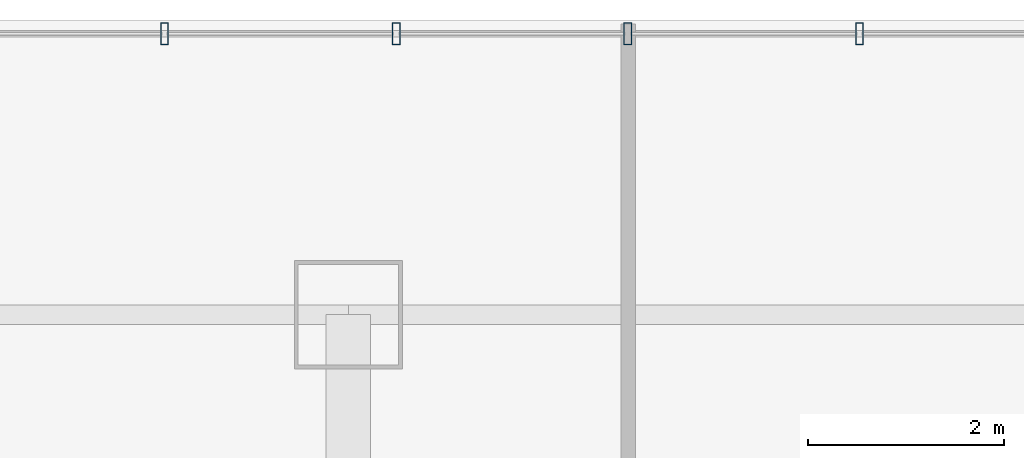
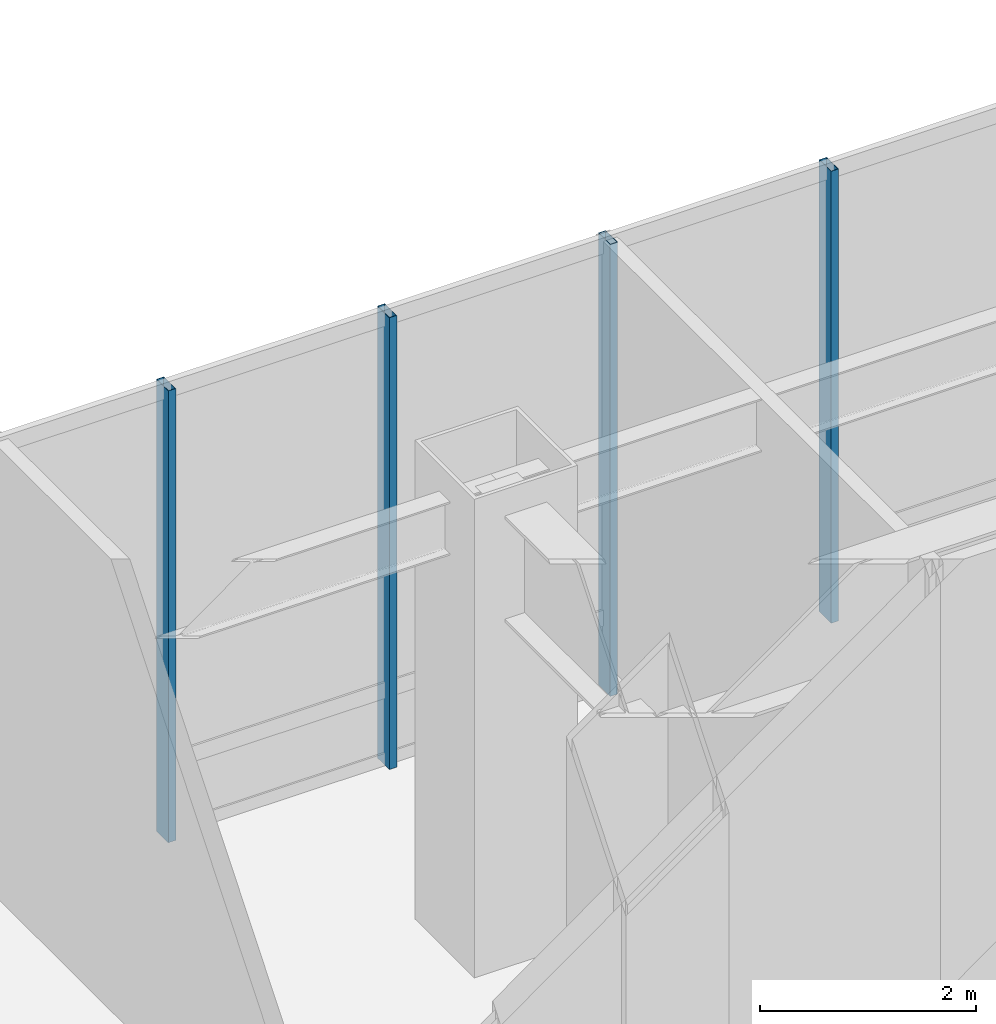
# One storey, part 24 of 38: 4 members, 1 element without a shape of its own.
"""IFC4 building model written with IfcOpenShell, lengths in metres."""

from ifc_helpers import new_model, si_unit, direction, frame, origin, origin_2d, place, context, subcontext, project, spatial, hollow_rectangle, extrude, material, layer, layer_set, material_profile, profile_set, type_object, element, aggregate, save


model = new_model("IFC4")

# Units and contexts
model_context = context("Model", 3, precision=1e-05, world=origin(), true_north=direction((0.0, 1.0)))
body_context = subcontext(model_context, "Body", "Model", "MODEL_VIEW")
ifc_project = project(units=[si_unit("LENGTHUNIT", "METRE"), si_unit("AREAUNIT", "SQUARE_METRE"), si_unit("VOLUMEUNIT", "CUBIC_METRE"), si_unit("PLANEANGLEUNIT", "RADIAN"), si_unit("MASSUNIT", "GRAM", prefix="KILO")], contexts=[model_context])

# Site, building, storey
site_placement = place(None, origin())
site = spatial("IfcSite", under=ifc_project, at=site_placement, CompositionType="ELEMENT")
building_placement = place(site_placement, origin())
building = spatial("IfcBuilding", under=site, at=building_placement, Name="Hatsunagi Terrace Concourse", CompositionType="ELEMENT")
storey_placement = place(building_placement, frame((0.0, 0.0, 21.60009765625)))
storey = spatial("IfcBuildingStorey", under=building, at=storey_placement, Name="L05", CompositionType="ELEMENT", Elevation=21.60009765625)

# Curtain wall, members
ifc_material_1 = material(Name="Anodised Aluminium Alloy 6063-T5", Category="aluminium")
ifc_layer = layer(ifc_material_1, 0.199951171875)
ifc_layer_set = layer_set([ifc_layer], Name="PodiumStorefront_CW01")
curtain_wall_type = type_object("IfcCurtainWallType", Name="PodiumStorefront_CW01", PredefinedType="NOTDEFINED", material=ifc_layer_set)
curtain_wall_placement = place(storey_placement, origin())
curtain_wall = element("IfcCurtainWall", 1, at=curtain_wall_placement, inside=storey, type_object=curtain_wall_type, Name="Unitised Curtain Wall CW-01 CW-L05-11", PredefinedType="NOTDEFINED")
ifc_material_2 = material(Name="Anodised Aluminium Alloy 6063-T5", Category="aluminium")
ifc_material_profile = material_profile(ifc_material_2, hollow_rectangle(XDim=0.080078125, YDim=0.219970703125, WallThickness=0.0048828125, at=origin_2d()), Name="ALU-MUL-220x80x5")
ifc_profile_set = profile_set([ifc_material_profile], Name="Anodised Aluminium Alloy 6063-T5")
member_type = type_object("IfcMemberType", Name="CurtainWallMullion_Heavy_220x80", PredefinedType="MULLION", material=ifc_profile_set)
member_1_placement = place(storey_placement, frame((23.678955078125, 51.4599609375, 0.0), z_axis=(0.0, 0.0, 1.0), x_axis=(1.0, 0.0, 0.0)))
member_1 = element("IfcMember", 2, at=member_1_placement, type_object=member_type, Name="Curtain Wall Mullion MUL-01", PredefinedType="MULLION", context=body_context, shape_type="SweptSolid", body=[
    extrude(hollow_rectangle(XDim=0.080078125, YDim=0.219970703125, WallThickness=0.0048828125, at=origin_2d()), origin(), (0.0, 0.0, 1.0), 5.099853515625),
])
member_2_placement = place(storey_placement, frame((26.037109375, 51.4599609375, 0.0), z_axis=(0.0, 0.0, 1.0), x_axis=(1.0, 0.0, 0.0)))
member_2 = element("IfcMember", 3, at=member_2_placement, type_object=member_type, Name="Curtain Wall Mullion MUL-01", PredefinedType="MULLION", context=body_context, shape_type="SweptSolid", body=[
    extrude(hollow_rectangle(XDim=0.080078125, YDim=0.219970703125, WallThickness=0.0048828125, at=origin_2d()), origin(), (0.0, 0.0, 1.0), 5.099853515625),
])
member_3_placement = place(storey_placement, frame((28.39501953125, 51.4599609375, 0.0), z_axis=(0.0, 0.0, 1.0), x_axis=(1.0, 0.0, 0.0)))
member_3 = element("IfcMember", 4, at=member_3_placement, type_object=member_type, Name="Curtain Wall Mullion MUL-01", PredefinedType="MULLION", context=body_context, shape_type="SweptSolid", body=[
    extrude(hollow_rectangle(XDim=0.080078125, YDim=0.219970703125, WallThickness=0.0048828125, at=origin_2d()), origin(), (0.0, 0.0, 1.0), 5.099853515625),
])
member_4_placement = place(storey_placement, frame((30.7529296875, 51.4599609375, 0.0), z_axis=(0.0, 0.0, 1.0), x_axis=(1.0, 0.0, 0.0)))
member_4 = element("IfcMember", 5, at=member_4_placement, type_object=member_type, Name="Curtain Wall Mullion MUL-01", PredefinedType="MULLION", context=body_context, shape_type="SweptSolid", body=[
    extrude(hollow_rectangle(XDim=0.080078125, YDim=0.219970703125, WallThickness=0.0048828125, at=origin_2d()), origin(), (0.0, 0.0, 1.0), 5.099853515625),
])
aggregate(curtain_wall, [member_1, member_2, member_3, member_4])

save(model, "model.ifc")
